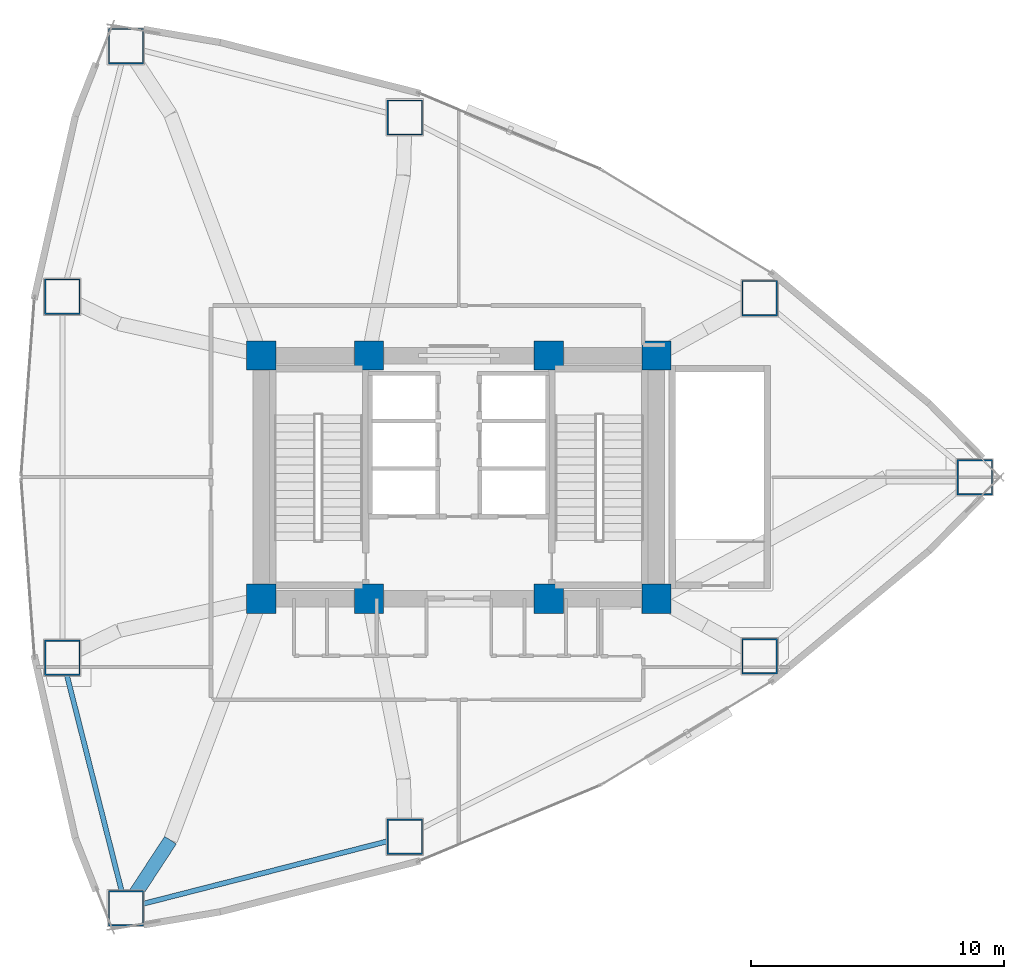
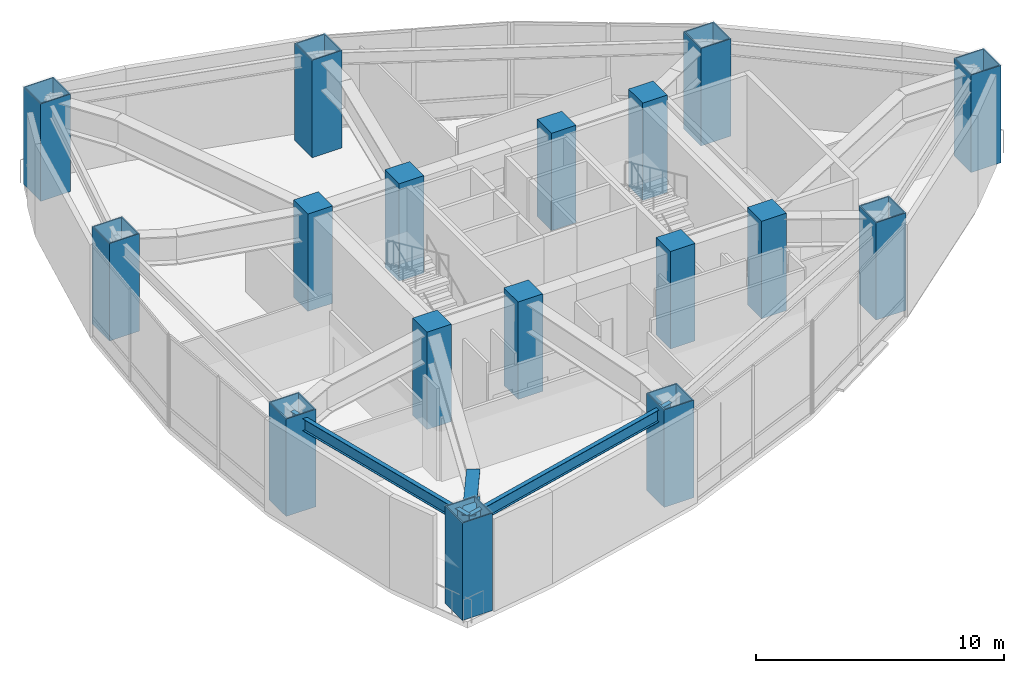
# One storey, part 1 of 19: 17 columns, 3 beams.
"""IFC4 building model written with IfcOpenShell, lengths in metres."""

from ifc_helpers import new_model, si_unit, direction, frame, origin, origin_2d, place, context, subcontext, project, spatial, rectangle, hollow_rectangle, i_section, extrude, material, material_profile, profile_set, type_object, element, save


model = new_model("IFC4")

# Units and contexts
model_context = context("Model", 3, precision=1e-05, world=origin(), true_north=direction((0.0, 1.0)))
body_context = subcontext(model_context, "Body", "Model", "MODEL_VIEW")
ifc_project = project(units=[si_unit("LENGTHUNIT", "METRE"), si_unit("AREAUNIT", "SQUARE_METRE"), si_unit("VOLUMEUNIT", "CUBIC_METRE"), si_unit("PLANEANGLEUNIT", "RADIAN"), si_unit("MASSUNIT", "GRAM", prefix="KILO")], contexts=[model_context])

# Site, building, storey
site_placement = place(None, origin())
site = spatial("IfcSite", under=ifc_project, at=site_placement, CompositionType="ELEMENT")
building_placement = place(site_placement, origin())
building = spatial("IfcBuilding", under=site, at=building_placement, Name="Menara Vayukalpa", CompositionType="ELEMENT")
storey_placement = place(building_placement, frame((0.0, 0.0, 22.800048828125)))
storey = spatial("IfcBuildingStorey", under=building, at=storey_placement, Name="L04", CompositionType="ELEMENT", Elevation=22.800048828125)

# Columns
ifc_material_1 = material(Name="Concrete C80/95", Category="concrete")
ifc_material_profile_1 = material_profile(ifc_material_1, rectangle(XDim=1.14990234375, YDim=1.14990234375, at=origin_2d()), Name="RC 1150x1150")
ifc_profile_set_1 = profile_set([ifc_material_profile_1], Name="Concrete C80/95")
column_type_1 = type_object("IfcColumnType", Name="COL-CC1", PredefinedType="COLUMN", material=ifc_profile_set_1)
for number, where, z_axis, x_axis, name in (
    (1, (17.800048828125, 17.199951171875, 0.0), (0.0, 0.0, 1.0), (1.0, 0.0, 0.0), "L04 Core Pilaster Column CC1"),
    (2, (22.050048828125, 17.199951171875, 0.0), (0.0, 0.0, 1.0), (1.0, 0.0, 0.0), "L04 Core Pilaster Column CC2"),
    (3, (29.14990234375, 17.199951171875, 0.0), (0.0, 0.0, 1.0), (1.0, 0.0, 0.0), "L04 Core Pilaster Column CC3"),
    (4, (33.39990234375, 17.199951171875, 0.0), (0.0, 0.0, 1.0), (1.0, 0.0, 0.0), "L04 Core Pilaster Column CC4"),
    (5, (17.800048828125, 26.800048828125, 0.0), (0.0, 0.0, 1.0), (1.0, 0.0, 0.0), "L04 Core Pilaster Column CC5"),
    (6, (22.050048828125, 26.800048828125, 0.0), (0.0, 0.0, 1.0), (1.0, 0.0, 0.0), "L04 Core Pilaster Column CC6"),
    (7, (29.14990234375, 26.800048828125, 0.0), (0.0, 0.0, 1.0), (1.0, 0.0, 0.0), "L04 Core Pilaster Column CC7"),
    (8, (33.39990234375, 26.800048828125, 0.0), (0.0, 0.0, 1.0), (1.0, 0.0, 0.0), "L04 Core Pilaster Column CC8"),
):
    element("IfcColumn", number, at=place(storey_placement, frame(where, z_axis=z_axis, x_axis=x_axis)), inside=storey, type_object=column_type_1, Name=name, PredefinedType="COLUMN", context=body_context, shape_type="SweptSolid", body=[
        extrude(rectangle(XDim=1.14990234375, YDim=1.14990234375, at=origin_2d()), origin(), (0.0, 0.0, 1.0), 4.800048828125),
    ])
ifc_material_2 = material(Name="Steel S460", Category="steel")
ifc_material_profile_2 = material_profile(ifc_material_2, hollow_rectangle(XDim=1.39990234375, YDim=1.39990234375, WallThickness=0.054931640625, at=origin_2d()), Name="BOX 1400x1400x55")
ifc_profile_set_2 = profile_set([ifc_material_profile_2], Name="Steel S460")
column_type_2 = type_object("IfcColumnType", Name="COL-MC1", PredefinedType="COLUMN", material=ifc_profile_set_2)
for number, where, z_axis, x_axis, name in (
    (9, (45.979248046875, 22.0, 0.0), (0.0, 0.0, 1.0), (1.0, 0.0, 0.0), "L04 Perimeter Mega Column P01"),
    (10, (37.47412109375, 29.07080078125, 0.0), (0.0, 0.0, 1.0), (1.0, 0.0, 0.0), "L04 Perimeter Mega Column P02"),
    (11, (23.4755859375, 36.19970703125, 0.0), (0.0, 0.0, 1.0), (1.0, 0.0, 0.0), "L04 Perimeter Mega Column P03"),
    (12, (12.46044921875, 39.01904296875, 0.0), (0.0, 0.0, 1.0), (1.0, 0.0, 0.0), "L04 Perimeter Mega Column P04"),
    (13, (9.951904296875, 29.12890625, 0.0), (0.0, 0.0, 1.0), (1.0, 0.0, 0.0), "L04 Perimeter Mega Column P05"),
    (14, (9.951904296875, 14.87109375, 0.0), (0.0, 0.0, 1.0), (1.0, 0.0, 0.0), "L04 Perimeter Mega Column P06"),
    (15, (12.46044921875, 4.98095703125, 0.0), (0.0, 0.0, 1.0), (1.0, 0.0, 0.0), "L04 Perimeter Mega Column P07"),
    (16, (23.4755859375, 7.80029296875, 0.0), (0.0, 0.0, 1.0), (1.0, 0.0, 0.0), "L04 Perimeter Mega Column P08"),
    (17, (37.47412109375, 14.92919921875, 0.0), (0.0, 0.0, 1.0), (1.0, 0.0, 0.0), "L04 Perimeter Mega Column P09"),
):
    element("IfcColumn", number, at=place(storey_placement, frame(where, z_axis=z_axis, x_axis=x_axis)), inside=storey, type_object=column_type_2, Name=name, PredefinedType="COLUMN", context=body_context, shape_type="SweptSolid", body=[
        extrude(hollow_rectangle(XDim=1.39990234375, YDim=1.39990234375, WallThickness=0.054931640625, at=origin_2d()), origin(), (0.0, 0.0, 1.0), 4.800048828125),
    ])

# Beams
ifc_material_3 = material(Name="Steel S355", Category="steel")
ifc_material_profile_3 = material_profile(ifc_material_3, i_section(OverallWidth=0.199951171875, OverallDepth=0.60009765625, WebThickness=0.010986328125, FlangeThickness=0.01708984375, at=origin_2d()), Name="WF 600x200x11x17")
ifc_profile_set_3 = profile_set([ifc_material_profile_3], Name="Steel S355")
beam_type_1 = type_object("IfcBeamType", Name="BM-SP1", PredefinedType="SPANDREL", material=ifc_profile_set_3)
beam_1_placement = place(storey_placement, frame((9.951904296875, 14.87109375, 4.25), z_axis=(0.24585591488, -0.969306385576, 0.0), x_axis=(0.969306385576, 0.24585591488, 0.0)))
element("IfcBeam", 18, at=beam_1_placement, inside=storey, type_object=beam_type_1, Name="L04 Perimeter Spandrel Beam SP06", PredefinedType="SPANDREL", context=body_context, shape_type="SweptSolid", body=[
    extrude(i_section(OverallWidth=0.199951171875, OverallDepth=0.60009765625, WebThickness=0.010986328125, FlangeThickness=0.01708984375, at=origin_2d()), origin(), (0.0, 0.0, 1.0), 10.203369140625),
])
beam_2_placement = place(storey_placement, frame((12.46044921875, 4.98095703125, 4.25), z_axis=(0.968770804637, 0.247957915953, 0.0), x_axis=(-0.247957915953, 0.968770804637, 0.0)))
element("IfcBeam", 19, at=beam_2_placement, inside=storey, type_object=beam_type_1, Name="L04 Perimeter Spandrel Beam SP07", PredefinedType="SPANDREL", context=body_context, shape_type="SweptSolid", body=[
    extrude(i_section(OverallWidth=0.199951171875, OverallDepth=0.60009765625, WebThickness=0.010986328125, FlangeThickness=0.01708984375, at=origin_2d()), origin(), (0.0, 0.0, 1.0), 11.3701171875),
])
ifc_material_4 = material(Name="Steel S460", Category="steel")
ifc_material_profile_4 = material_profile(ifc_material_4, i_section(OverallWidth=0.550048828125, OverallDepth=1.39990234375, WebThickness=0.031982421875, FlangeThickness=0.06005859375, at=origin_2d()), Name="WG 1400x550x32x60")
ifc_profile_set_4 = profile_set([ifc_material_profile_4], Name="Steel S460")
beam_type_2 = type_object("IfcBeamType", Name="BM-TG1", PredefinedType="BEAM", material=ifc_profile_set_4)
beam_3_placement = place(storey_placement, frame((14.217529296875, 7.66552734375, 3.849853515625), z_axis=(-0.547638835024, -0.83671482978, 0.0), x_axis=(0.83671482978, -0.547638835024, 0.0)))
element("IfcBeam", 20, at=beam_3_placement, inside=storey, type_object=beam_type_2, Name="L04 Radial Transfer Girder Outer 07", PredefinedType="BEAM", context=body_context, shape_type="SweptSolid", body=[
    extrude(i_section(OverallWidth=0.550048828125, OverallDepth=1.39990234375, WebThickness=0.031982421875, FlangeThickness=0.06005859375, at=origin_2d()), origin(), (0.0, 0.0, 1.0), 3.20849609375),
])

save(model, "model.ifc")
